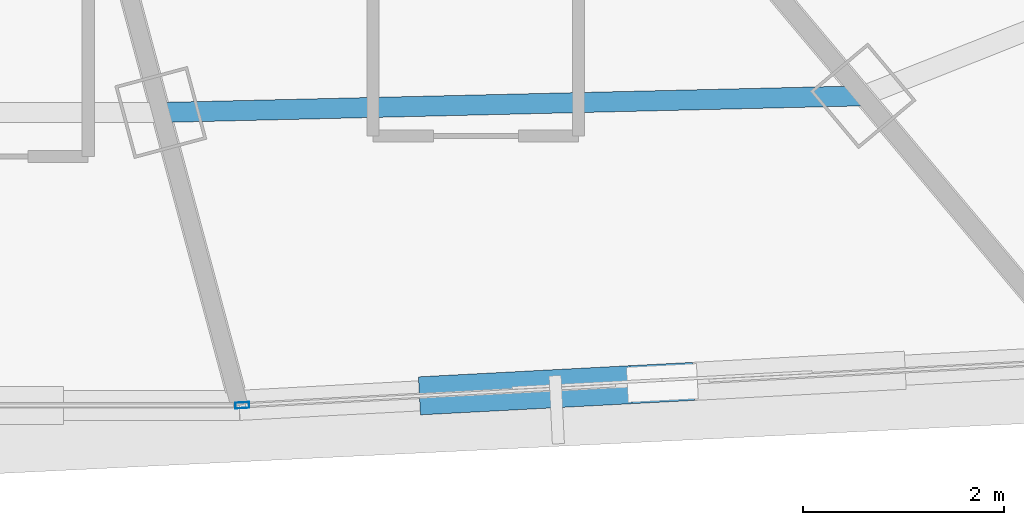
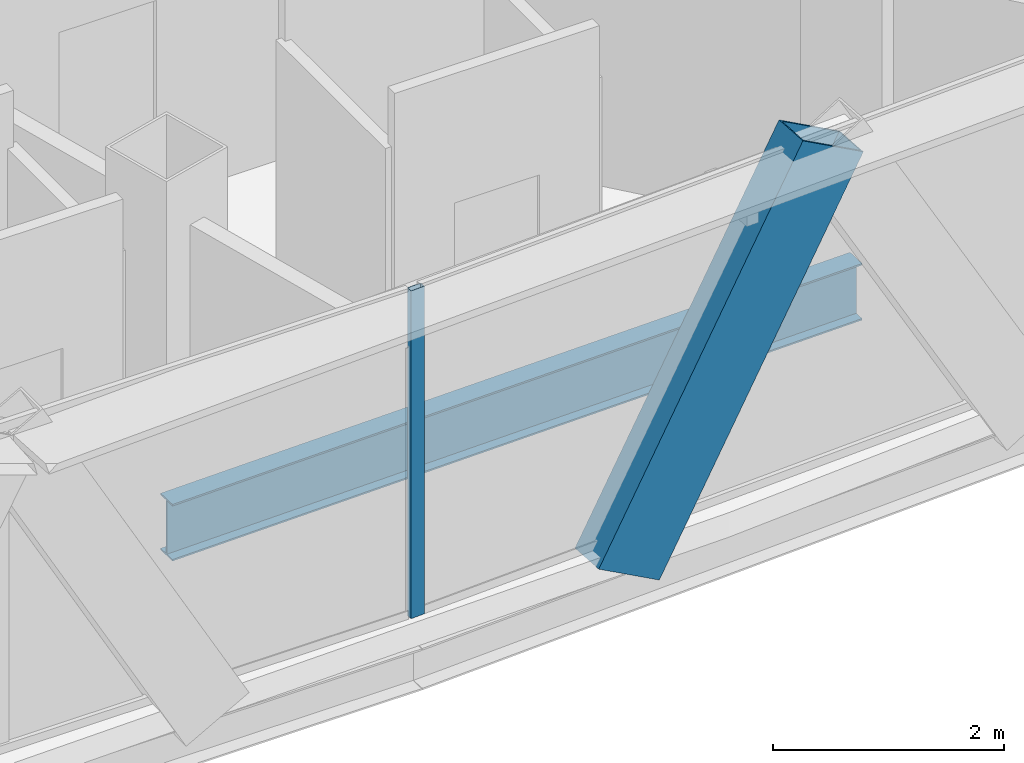
# One storey, part 10 of 37: 2 members, 1 beam, 1 element without a shape of its own.
"""IFC4 building model written with IfcOpenShell, lengths in metres."""

from ifc_helpers import new_model, si_unit, direction, frame, origin, origin_2d, place, context, subcontext, project, spatial, hollow_rectangle, i_section, extrude, source, transform, mapped, material, layer, layer_set, material_profile, profile_set, type_object, element, aggregate, save


model = new_model("IFC4")

# Units and contexts
model_context = context("Model", 3, precision=1e-05, world=origin(), true_north=direction((0.0, 1.0)))
body_context = subcontext(model_context, "Body", "Model", "MODEL_VIEW")
ifc_project = project(units=[si_unit("LENGTHUNIT", "METRE"), si_unit("AREAUNIT", "SQUARE_METRE"), si_unit("VOLUMEUNIT", "CUBIC_METRE"), si_unit("PLANEANGLEUNIT", "RADIAN"), si_unit("MASSUNIT", "GRAM", prefix="KILO"), si_unit("THERMODYNAMICTEMPERATUREUNIT", "KELVIN"), si_unit("POWERUNIT", "WATT")], contexts=[model_context])

# Site, building, storey
site_placement = place(None, origin())
site = spatial("IfcSite", under=ifc_project, at=site_placement, CompositionType="ELEMENT")
building_placement = place(site_placement, origin())
building = spatial("IfcBuilding", under=site, at=building_placement, Name="Yunzhuo Pagoda Commons", CompositionType="ELEMENT")
storey_placement = place(building_placement, frame((0.0, 0.0, 277.56005859375)))
storey = spatial("IfcBuildingStorey", under=building, at=storey_placement, Name="L69", CompositionType="ELEMENT", Elevation=277.56005859375)

# Beam
ifc_material_1 = material(Name="Structural steel Q355B", Category="steel")
ifc_material_profile_1 = material_profile(ifc_material_1, i_section(OverallWidth=0.199951171875, OverallDepth=0.60009765625, WebThickness=0.010986328125, FlangeThickness=0.01708984375, at=origin_2d()), Name="Structural steel Q355B")
ifc_profile_set_1 = profile_set([ifc_material_profile_1], Name="Structural steel Q355B")
beam_type = type_object("IfcBeamType", Name="B-RG3 Beam HN 600x200x11x17", PredefinedType="BEAM", material=ifc_profile_set_1)
shared_shape_1 = source(origin(), body_context, "Body", "SweptSolid", [
    extrude(i_section(OverallWidth=0.199951171875, OverallDepth=0.60009765625, WebThickness=0.010986328125, FlangeThickness=0.01708984375, at=origin_2d()), origin(), (0.0, 0.0, 1.0), 7.0048828125),
])
beam_placement = place(storey_placement, frame((51.3505859375, 21.195556640625, -0.56005859375), z_axis=(0.99971911704, 0.023699937233, 0.0), x_axis=(-0.023699937233, 0.99971911704, 0.0)))
element("IfcBeam", 1, at=beam_placement, inside=storey, type_object=beam_type, Name="L69 column-ring beam 3", PredefinedType="BEAM", context=body_context, shape_type="MappedRepresentation", body=[
    mapped(shared_shape_1, transform((0.0, 0.0, 0.0), scale=1.0)),
])

# Member
ifc_material_profile_2 = material_profile(ifc_material_1, hollow_rectangle(XDim=0.3798828125, YDim=0.719970703125, WallThickness=0.02001953125, at=origin_2d()), Name="Structural steel Q355B")
ifc_profile_set_2 = profile_set([ifc_material_profile_2], Name="Structural steel Q355B")
member_type_1 = type_object("IfcMemberType", Name="M-DL3 Brace BOX 720x380x20", PredefinedType="BRACE", material=ifc_profile_set_2)
shared_shape_2 = source(origin(), body_context, "Body", "SweptSolid", [
    extrude(hollow_rectangle(XDim=0.3798828125, YDim=0.719970703125, WallThickness=0.02001953125, at=origin_2d()), origin(), (0.0, 0.0, 1.0), 4.286376953125),
])
member_1_placement = place(storey_placement, frame((54.241943359375, 18.38671875, -0.260009765625), z_axis=(0.492003137812, 0.026029802498, 0.870204206934), x_axis=(-0.052831878149, 0.998603421109, 0.0)))
element("IfcMember", 2, at=member_1_placement, inside=storey, type_object=member_type_1, Name="L69 facade diamond brace F1.3L", PredefinedType="BRACE", context=body_context, shape_type="MappedRepresentation", body=[
    mapped(shared_shape_2, transform((0.0, 0.0, 0.0), scale=1.0)),
])

# Curtain wall, member
ifc_material_2 = material(Name="Anodized aluminium 6063-T6", Category="aluminium")
ifc_layer = layer(ifc_material_2, 0.139892578125)
ifc_layer_set = layer_set([ifc_layer], Name="Anodized aluminium 6063-T6")
curtain_wall_type = type_object("IfcCurtainWallType", Name="CW-HI High-Zone Ribbon Curtain Wall", PredefinedType="NOTDEFINED", material=ifc_layer_set)
curtain_wall_placement = place(storey_placement, origin())
curtain_wall = element("IfcCurtainWall", 3, at=curtain_wall_placement, inside=storey, type_object=curtain_wall_type, Name="L69 curtain wall CW-L69-F1B4", PredefinedType="NOTDEFINED")
ifc_material_profile_3 = material_profile(ifc_material_2, hollow_rectangle(XDim=0.06005859375, YDim=0.139892578125, WallThickness=0.00341796875, at=origin_2d()), Name="Anodized aluminium 6063-T6")
ifc_profile_set_3 = profile_set([ifc_material_profile_3], Name="Anodized aluminium 6063-T6")
member_type_2 = type_object("IfcMemberType", Name="CW-HI-M Mullion RHS 140x60x3.5", PredefinedType="MULLION", material=ifc_profile_set_3)
shared_shape_3 = source(origin(), body_context, "Body", "SweptSolid", [
    extrude(hollow_rectangle(XDim=0.06005859375, YDim=0.139892578125, WallThickness=0.00341796875, at=origin_2d()), origin(), (0.0, 0.0, 1.0), 3.469970703125),
])
member_2_placement = place(storey_placement, frame((52.1630859375, 18.276611328125, 0.0), z_axis=(0.0, 0.0, 1.0), x_axis=(-0.052821657014, 0.998603961814, 0.0)))
member_2 = element("IfcMember", 4, at=member_2_placement, type_object=member_type_2, Name="CW mullion 1", PredefinedType="MULLION", context=body_context, shape_type="MappedRepresentation", body=[
    mapped(shared_shape_3, transform((0.0, 0.0, 0.0), scale=1.0)),
])
aggregate(curtain_wall, [member_2])

save(model, "model.ifc")
